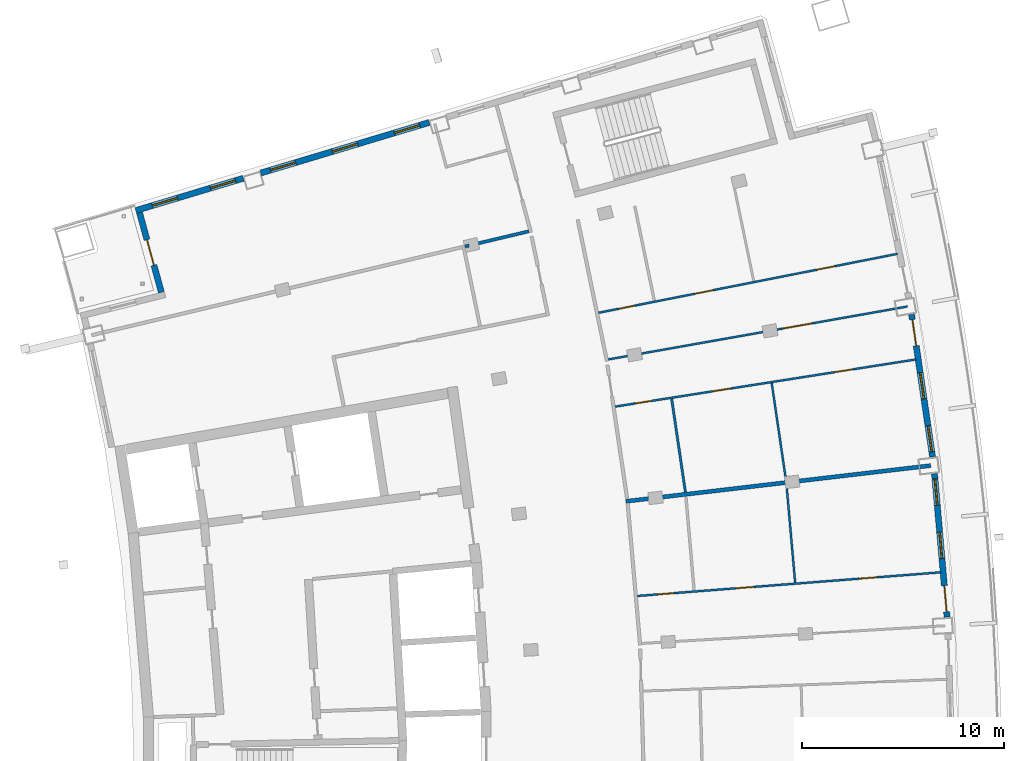
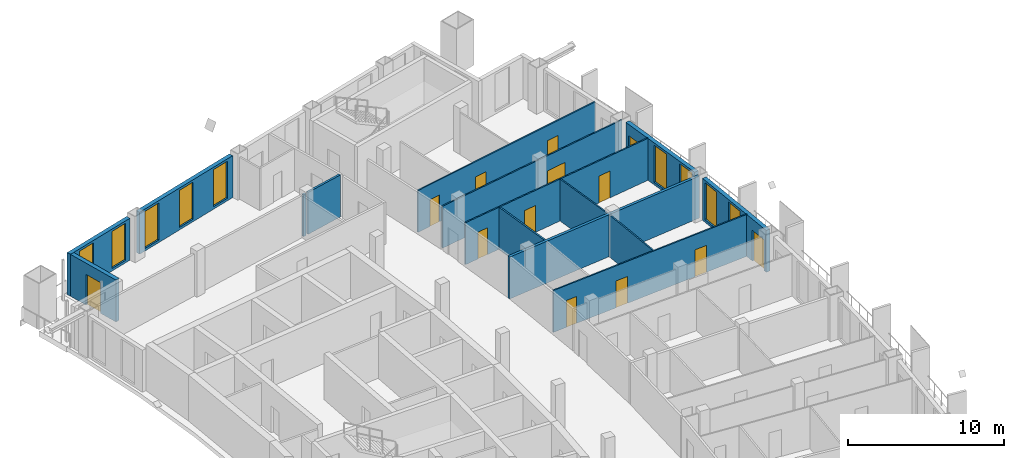
# One storey, part 12 of 17: 15 walls, 13 doors, 9 windows, 22 openings.
"""IFC4 building model written with IfcOpenShell, lengths in metres."""

from ifc_helpers import new_model, si_unit, direction, frame, frame_2d, origin, place, context, subcontext, project, spatial, rectangle, extrude, material, layer, layer_set, type_object, element, fill, save


model = new_model("IFC4")

# Units and contexts
model_context = context("Model", 3, precision=1e-05, world=origin(), true_north=direction((0.0, 1.0)))
body_context = subcontext(model_context, "Body", "Model", "MODEL_VIEW")
ifc_project = project(units=[si_unit("LENGTHUNIT", "METRE"), si_unit("AREAUNIT", "SQUARE_METRE"), si_unit("VOLUMEUNIT", "CUBIC_METRE"), si_unit("PLANEANGLEUNIT", "RADIAN"), si_unit("MASSUNIT", "GRAM", prefix="KILO")], contexts=[model_context])

# Site, building, storey
site_placement = place(None, origin())
site = spatial("IfcSite", under=ifc_project, at=site_placement, CompositionType="ELEMENT")
building_placement = place(site_placement, origin())
building = spatial("IfcBuilding", under=site, at=building_placement, Name="Alderwake Tower", CompositionType="ELEMENT")
storey_placement = place(building_placement, frame((0.0, 0.0, 274.39990234375)))
storey = spatial("IfcBuildingStorey", under=building, at=storey_placement, Name="L68", CompositionType="ELEMENT", Elevation=274.39990234375)

# Walls
ifc_material_1 = material(Name="Gypsum board on metal studs, rated")
ifc_layer_1 = layer(ifc_material_1, 0.159912109375)
ifc_layer_set_1 = layer_set([ifc_layer_1], Name="Corridor wall 160")
wall_type_1 = type_object("IfcWallType", Name="Corridor wall 160", PredefinedType="PARTITIONING", material=ifc_layer_set_1)
wall_1_placement = place(storey_placement, frame((32.5439453125, 87.7470703125, 0.0), z_axis=(0.0, 0.0, 1.0), x_axis=(-0.974391195695, -0.224859506699, 0.0)))
element("IfcWall", 1, at=wall_1_placement, inside=storey, type_object=wall_type_1, Name="WL/L68/W11", PredefinedType="PARTITIONING", context=body_context, shape_type="SweptSolid", body=[
    extrude(rectangle(XDim=0.205322265625, YDim=0.159912109375, at=frame_2d((0.1025390625, 0.0))), origin(), (0.0, 0.0, 1.0), 3.280029296875),
])
wall_2_placement = place(storey_placement, frame((35.502197265625, 88.451416015625, 0.0), z_axis=(0.0, 0.0, 1.0), x_axis=(-0.972846580049, -0.231450927168, 0.0)))
element("IfcWall", 2, at=wall_2_placement, inside=storey, type_object=wall_type_1, Name="WL/L68/W14", PredefinedType="PARTITIONING", context=body_context, shape_type="SweptSolid", body=[
    extrude(rectangle(XDim=2.854248046875, YDim=0.159912109375, at=frame_2d((1.42724609375, 0.0))), origin(), (0.0, 0.0, 1.0), 3.280029296875),
])

# Wall, openings, door, windows
ifc_material_2 = material(Name="Precast concrete C50/60 spandrel panel", Category="concrete")
ifc_layer_2 = layer(ifc_material_2, 0.300048828125)
ifc_layer_set_2 = layer_set([ifc_layer_2], Name="External wall EW1 Precast concrete C50/60 spandrel")
wall_type_2 = type_object("IfcWallType", Name="External wall EW1 Precast concrete C50/60 spandrel", PredefinedType="SOLIDWALL", material=ifc_layer_set_2)
wall_3_placement = place(storey_placement, frame((56.180908203125, 69.375244140625, 0.0), z_axis=(0.0, 0.0, 1.0), x_axis=(-0.08736403326, 0.996176453091, 0.0)))
wall_3 = element("IfcWall", 3, at=wall_3_placement, inside=storey, type_object=wall_type_2, Name="External wall 17", PredefinedType="SOLIDWALL", context=body_context, shape_type="SweptSolid", body=[
    extrude(rectangle(XDim=7.11474609375, YDim=0.300048828125, at=frame_2d((3.557373046875, 0.0))), origin(), (0.0, 0.0, 1.0), 3.280029296875),
])
opening_1_placement = place(wall_3_placement, frame((0.259521484375, 0.0, 0.0)))
opening_1 = element("IfcOpeningElement", 4, at=opening_1_placement, cuts=wall_3, Name="Opening D07", PredefinedType="OPENING", context=body_context, shape_type="SweptSolid", body=[
    extrude(rectangle(XDim=1.300048828125, YDim=2.39990234375, at=frame_2d((0.64990234375, 1.199951171875))), frame((0.0, 0.159912109375, 0.0), z_axis=(0.0, -1.0, 0.0), x_axis=(1.0, 0.0, 0.0)), (0.0, 0.0, 1.0), 0.320068359375),
])
opening_2_placement = place(wall_3_placement, frame((2.907470703125, 0.0, 0.199951171875)))
opening_2 = element("IfcOpeningElement", 5, at=opening_2_placement, cuts=wall_3, Name="Opening W1", PredefinedType="OPENING", context=body_context, shape_type="SweptSolid", body=[
    extrude(rectangle(XDim=1.300048828125, YDim=2.89990234375, at=frame_2d((0.64990234375, 1.449951171875))), frame((0.0, 0.159912109375, 0.0), z_axis=(0.0, -1.0, 0.0), x_axis=(1.0, 0.0, 0.0)), (0.0, 0.0, 1.0), 0.320068359375),
])
opening_3_placement = place(wall_3_placement, frame((5.555419921875, 0.0, 0.199951171875)))
opening_3 = element("IfcOpeningElement", 6, at=opening_3_placement, cuts=wall_3, Name="Opening W1", PredefinedType="OPENING", context=body_context, shape_type="SweptSolid", body=[
    extrude(rectangle(XDim=1.300048828125, YDim=2.89990234375, at=frame_2d((0.64990234375, 1.449951171875))), frame((0.0, 0.159912109375, 0.0), z_axis=(0.0, -1.0, 0.0), x_axis=(1.0, 0.0, 0.0)), (0.0, 0.0, 1.0), 0.320068359375),
])
ifc_material_3 = material(Name="Bronze tinted glass in aluminium frame", Category="aluminium")
door_type_1 = type_object("IfcDoorType", Name="Balcony door BD sliding", OperationType="SLIDING_TO_LEFT", PredefinedType="DOOR", material=ifc_material_3)
door_1_placement = place(opening_1_placement, origin())
door_1 = element("IfcDoor", 7, at=door_1_placement, inside=storey, type_object=door_type_1, Name="Door D07", OperationType="SLIDING_TO_LEFT", OverallHeight=2.39990234375, OverallWidth=1.300048828125, PredefinedType="DOOR", context=body_context, shape_type="SweptSolid", body=[
    extrude(rectangle(XDim=1.300048828125, YDim=2.39990234375, at=frame_2d((0.64990234375, 1.199951171875))), frame((0.0, 0.02490234375, 0.0), z_axis=(0.0, -1.0, 0.0), x_axis=(1.0, 0.0, 0.0)), (0.0, 0.0, 1.0), 0.050048828125),
])
fill(opening_1, door_1)
ifc_material_4 = material(Name="Bronze tinted glass in aluminium frame", Category="aluminium")
window_type = type_object("IfcWindowType", Name="Window W1 tall fixed and vent", PartitioningType="DOUBLE_PANEL_VERTICAL", PredefinedType="WINDOW", material=ifc_material_4)
window_1_placement = place(opening_2_placement, origin())
window_1 = element("IfcWindow", 8, at=window_1_placement, inside=storey, type_object=window_type, Name="Window W1 tall fixed and vent", OverallHeight=2.89990234375, OverallWidth=1.300048828125, PartitioningType="DOUBLE_PANEL_VERTICAL", PredefinedType="WINDOW", context=body_context, shape_type="SweptSolid", body=[
    extrude(rectangle(XDim=1.300048828125, YDim=2.89990234375, at=frame_2d((0.64990234375, 1.449951171875))), frame((0.0, 0.030029296875, 0.0), z_axis=(0.0, -1.0, 0.0), x_axis=(1.0, 0.0, 0.0)), (0.0, 0.0, 1.0), 0.06005859375),
])
fill(opening_2, window_1)
window_2_placement = place(opening_3_placement, origin())
window_2 = element("IfcWindow", 9, at=window_2_placement, inside=storey, type_object=window_type, Name="Window W1 tall fixed and vent", OverallHeight=2.89990234375, OverallWidth=1.300048828125, PartitioningType="DOUBLE_PANEL_VERTICAL", PredefinedType="WINDOW", context=body_context, shape_type="SweptSolid", body=[
    extrude(rectangle(XDim=1.300048828125, YDim=2.89990234375, at=frame_2d((0.64990234375, 1.449951171875))), frame((0.0, 0.030029296875, 0.0), z_axis=(0.0, -1.0, 0.0), x_axis=(1.0, 0.0, 0.0)), (0.0, 0.0, 1.0), 0.06005859375),
])
fill(opening_3, window_2)

wall_4_placement = place(storey_placement, frame((55.461181640625, 77.30029296875, 0.0), z_axis=(0.0, 0.0, 1.0), x_axis=(-0.145316175734, 0.98938526827, 0.0)))
wall_4 = element("IfcWall", 10, at=wall_4_placement, inside=storey, type_object=wall_type_2, Name="External wall 18", PredefinedType="SOLIDWALL", context=body_context, shape_type="SweptSolid", body=[
    extrude(rectangle(XDim=7.114990234375, YDim=0.300048828125, at=frame_2d((3.5576171875, 0.0))), origin(), (0.0, 0.0, 1.0), 3.280029296875),
])
opening_4_placement = place(wall_4_placement, frame((0.259521484375, 0.0, 0.199951171875)))
opening_4 = element("IfcOpeningElement", 11, at=opening_4_placement, cuts=wall_4, Name="Opening W1", PredefinedType="OPENING", context=body_context, shape_type="SweptSolid", body=[
    extrude(rectangle(XDim=1.300048828125, YDim=2.89990234375, at=frame_2d((0.64990234375, 1.449951171875))), frame((0.0, 0.159912109375, 0.0), z_axis=(0.0, -1.0, 0.0), x_axis=(1.0, 0.0, 0.0)), (0.0, 0.0, 1.0), 0.320068359375),
])
opening_5_placement = place(wall_4_placement, frame((2.907470703125, 0.0, 0.199951171875)))
opening_5 = element("IfcOpeningElement", 12, at=opening_5_placement, cuts=wall_4, Name="Opening W1", PredefinedType="OPENING", context=body_context, shape_type="SweptSolid", body=[
    extrude(rectangle(XDim=1.300048828125, YDim=2.89990234375, at=frame_2d((0.64990234375, 1.449951171875))), frame((0.0, 0.159912109375, 0.0), z_axis=(0.0, -1.0, 0.0), x_axis=(1.0, 0.0, 0.0)), (0.0, 0.0, 1.0), 0.320068359375),
])
opening_6_placement = place(wall_4_placement, frame((5.555419921875, 0.0, 0.0)))
opening_6 = element("IfcOpeningElement", 13, at=opening_6_placement, cuts=wall_4, Name="Opening D08", PredefinedType="OPENING", context=body_context, shape_type="SweptSolid", body=[
    extrude(rectangle(XDim=1.300048828125, YDim=2.39990234375, at=frame_2d((0.64990234375, 1.199951171875))), frame((0.0, 0.159912109375, 0.0), z_axis=(0.0, -1.0, 0.0), x_axis=(1.0, 0.0, 0.0)), (0.0, 0.0, 1.0), 0.320068359375),
])
door_2_placement = place(opening_6_placement, origin())
door_2 = element("IfcDoor", 14, at=door_2_placement, inside=storey, type_object=door_type_1, Name="Door D08", OperationType="SLIDING_TO_LEFT", OverallHeight=2.39990234375, OverallWidth=1.300048828125, PredefinedType="DOOR", context=body_context, shape_type="SweptSolid", body=[
    extrude(rectangle(XDim=1.300048828125, YDim=2.39990234375, at=frame_2d((0.64990234375, 1.199951171875))), frame((0.0, 0.02490234375, 0.0), z_axis=(0.0, -1.0, 0.0), x_axis=(1.0, 0.0, 0.0)), (0.0, 0.0, 1.0), 0.050048828125),
])
fill(opening_6, door_2)
window_3_placement = place(opening_4_placement, origin())
window_3 = element("IfcWindow", 15, at=window_3_placement, inside=storey, type_object=window_type, Name="Window W1 tall fixed and vent", OverallHeight=2.89990234375, OverallWidth=1.300048828125, PartitioningType="DOUBLE_PANEL_VERTICAL", PredefinedType="WINDOW", context=body_context, shape_type="SweptSolid", body=[
    extrude(rectangle(XDim=1.300048828125, YDim=2.89990234375, at=frame_2d((0.64990234375, 1.449951171875))), frame((0.0, 0.030029296875, 0.0), z_axis=(0.0, -1.0, 0.0), x_axis=(1.0, 0.0, 0.0)), (0.0, 0.0, 1.0), 0.06005859375),
])
fill(opening_4, window_3)
window_4_placement = place(opening_5_placement, origin())
window_4 = element("IfcWindow", 16, at=window_4_placement, inside=storey, type_object=window_type, Name="Window W1 tall fixed and vent", OverallHeight=2.89990234375, OverallWidth=1.300048828125, PartitioningType="DOUBLE_PANEL_VERTICAL", PredefinedType="WINDOW", context=body_context, shape_type="SweptSolid", body=[
    extrude(rectangle(XDim=1.300048828125, YDim=2.89990234375, at=frame_2d((0.64990234375, 1.449951171875))), frame((0.0, 0.030029296875, 0.0), z_axis=(0.0, -1.0, 0.0), x_axis=(1.0, 0.0, 0.0)), (0.0, 0.0, 1.0), 0.06005859375),
])
fill(opening_5, window_4)

# Wall, openings, windows
ifc_material_5 = material(Name="Bronze metal cladding on lightweight framing")
ifc_layer_3 = layer(ifc_material_5, 0.300048828125)
ifc_layer_set_3 = layer_set([ifc_layer_3], Name="External wall EW2 bronze metal cladding")
wall_type_3 = type_object("IfcWallType", Name="External wall EW2 bronze metal cladding", PredefinedType="SOLIDWALL", material=ifc_layer_set_3)
wall_5_placement = place(storey_placement, frame((30.57568359375, 93.83251953125, 0.0), z_axis=(0.0, 0.0, 1.0), x_axis=(-0.957762902908, -0.287559075345, 0.0)))
wall_5 = element("IfcWall", 17, at=wall_5_placement, inside=storey, type_object=wall_type_3, Name="External wall 26", PredefinedType="SOLIDWALL", context=body_context, shape_type="SweptSolid", body=[
    extrude(rectangle(XDim=8.696533203125, YDim=0.300048828125, at=frame_2d((4.34814453125, 0.0))), origin(), (0.0, 0.0, 1.0), 3.280029296875),
])
opening_7_placement = place(wall_5_placement, frame((0.498291015625, 0.0, 0.199951171875)))
opening_7 = element("IfcOpeningElement", 18, at=opening_7_placement, cuts=wall_5, Name="Opening W1", PredefinedType="OPENING", context=body_context, shape_type="SweptSolid", body=[
    extrude(rectangle(XDim=1.300048828125, YDim=2.89990234375, at=frame_2d((0.64990234375, 1.449951171875))), frame((0.0, 0.159912109375, 0.0), z_axis=(0.0, -1.0, 0.0), x_axis=(1.0, 0.0, 0.0)), (0.0, 0.0, 1.0), 0.320068359375),
])
opening_8_placement = place(wall_5_placement, frame((3.6982421875, 0.0, 0.199951171875)))
opening_8 = element("IfcOpeningElement", 19, at=opening_8_placement, cuts=wall_5, Name="Opening W1", PredefinedType="OPENING", context=body_context, shape_type="SweptSolid", body=[
    extrude(rectangle(XDim=1.300048828125, YDim=2.89990234375, at=frame_2d((0.64990234375, 1.449951171875))), frame((0.0, 0.159912109375, 0.0), z_axis=(0.0, -1.0, 0.0), x_axis=(1.0, 0.0, 0.0)), (0.0, 0.0, 1.0), 0.320068359375),
])
opening_9_placement = place(wall_5_placement, frame((6.898193359375, 0.0, 0.199951171875)))
opening_9 = element("IfcOpeningElement", 20, at=opening_9_placement, cuts=wall_5, Name="Opening W1", PredefinedType="OPENING", context=body_context, shape_type="SweptSolid", body=[
    extrude(rectangle(XDim=1.300048828125, YDim=2.89990234375, at=frame_2d((0.64990234375, 1.449951171875))), frame((0.0, 0.159912109375, 0.0), z_axis=(0.0, -1.0, 0.0), x_axis=(1.0, 0.0, 0.0)), (0.0, 0.0, 1.0), 0.320068359375),
])
window_5_placement = place(opening_7_placement, origin())
window_5 = element("IfcWindow", 21, at=window_5_placement, inside=storey, type_object=window_type, Name="Window W1 tall fixed and vent", OverallHeight=2.89990234375, OverallWidth=1.300048828125, PartitioningType="DOUBLE_PANEL_VERTICAL", PredefinedType="WINDOW", context=body_context, shape_type="SweptSolid", body=[
    extrude(rectangle(XDim=1.300048828125, YDim=2.89990234375, at=frame_2d((0.64990234375, 1.449951171875))), frame((0.0, 0.030029296875, 0.0), z_axis=(0.0, -1.0, 0.0), x_axis=(1.0, 0.0, 0.0)), (0.0, 0.0, 1.0), 0.06005859375),
])
fill(opening_7, window_5)
window_6_placement = place(opening_8_placement, origin())
window_6 = element("IfcWindow", 22, at=window_6_placement, inside=storey, type_object=window_type, Name="Window W1 tall fixed and vent", OverallHeight=2.89990234375, OverallWidth=1.300048828125, PartitioningType="DOUBLE_PANEL_VERTICAL", PredefinedType="WINDOW", context=body_context, shape_type="SweptSolid", body=[
    extrude(rectangle(XDim=1.300048828125, YDim=2.89990234375, at=frame_2d((0.64990234375, 1.449951171875))), frame((0.0, 0.030029296875, 0.0), z_axis=(0.0, -1.0, 0.0), x_axis=(1.0, 0.0, 0.0)), (0.0, 0.0, 1.0), 0.06005859375),
])
fill(opening_8, window_6)
window_7_placement = place(opening_9_placement, origin())
window_7 = element("IfcWindow", 23, at=window_7_placement, inside=storey, type_object=window_type, Name="Window W1 tall fixed and vent", OverallHeight=2.89990234375, OverallWidth=1.300048828125, PartitioningType="DOUBLE_PANEL_VERTICAL", PredefinedType="WINDOW", context=body_context, shape_type="SweptSolid", body=[
    extrude(rectangle(XDim=1.300048828125, YDim=2.89990234375, at=frame_2d((0.64990234375, 1.449951171875))), frame((0.0, 0.030029296875, 0.0), z_axis=(0.0, -1.0, 0.0), x_axis=(1.0, 0.0, 0.0)), (0.0, 0.0, 1.0), 0.06005859375),
])
fill(opening_9, window_7)

wall_6_placement = place(storey_placement, frame((21.380859375, 91.072021484375, 0.0), z_axis=(0.0, 0.0, 1.0), x_axis=(-0.957769358194, -0.287537574074, 0.0)))
wall_6 = element("IfcWall", 24, at=wall_6_placement, inside=storey, type_object=wall_type_3, Name="External wall 27", PredefinedType="SOLIDWALL", context=body_context, shape_type="SweptSolid", body=[
    extrude(rectangle(XDim=5.549560546875, YDim=0.300048828125, at=frame_2d((2.77490234375, 0.0))), origin(), (0.0, 0.0, 1.0), 3.280029296875),
])
opening_10_placement = place(wall_6_placement, frame((0.3984375, 0.0, 0.199951171875)))
opening_10 = element("IfcOpeningElement", 25, at=opening_10_placement, cuts=wall_6, Name="Opening W1", PredefinedType="OPENING", context=body_context, shape_type="SweptSolid", body=[
    extrude(rectangle(XDim=1.300048828125, YDim=2.89990234375, at=frame_2d((0.64990234375, 1.449951171875))), frame((0.0, 0.159912109375, 0.0), z_axis=(0.0, -1.0, 0.0), x_axis=(1.0, 0.0, 0.0)), (0.0, 0.0, 1.0), 0.320068359375),
])
opening_11_placement = place(wall_6_placement, frame((3.399169921875, 0.0, 0.199951171875)))
opening_11 = element("IfcOpeningElement", 26, at=opening_11_placement, cuts=wall_6, Name="Opening W1", PredefinedType="OPENING", context=body_context, shape_type="SweptSolid", body=[
    extrude(rectangle(XDim=1.300048828125, YDim=2.89990234375, at=frame_2d((0.64990234375, 1.449951171875))), frame((0.0, 0.159912109375, 0.0), z_axis=(0.0, -1.0, 0.0), x_axis=(1.0, 0.0, 0.0)), (0.0, 0.0, 1.0), 0.320068359375),
])
window_8_placement = place(opening_10_placement, origin())
window_8 = element("IfcWindow", 27, at=window_8_placement, inside=storey, type_object=window_type, Name="Window W1 tall fixed and vent", OverallHeight=2.89990234375, OverallWidth=1.300048828125, PartitioningType="DOUBLE_PANEL_VERTICAL", PredefinedType="WINDOW", context=body_context, shape_type="SweptSolid", body=[
    extrude(rectangle(XDim=1.300048828125, YDim=2.89990234375, at=frame_2d((0.64990234375, 1.449951171875))), frame((0.0, 0.030029296875, 0.0), z_axis=(0.0, -1.0, 0.0), x_axis=(1.0, 0.0, 0.0)), (0.0, 0.0, 1.0), 0.06005859375),
])
fill(opening_10, window_8)
window_9_placement = place(opening_11_placement, origin())
window_9 = element("IfcWindow", 28, at=window_9_placement, inside=storey, type_object=window_type, Name="Window W1 tall fixed and vent", OverallHeight=2.89990234375, OverallWidth=1.300048828125, PartitioningType="DOUBLE_PANEL_VERTICAL", PredefinedType="WINDOW", context=body_context, shape_type="SweptSolid", body=[
    extrude(rectangle(XDim=1.300048828125, YDim=2.89990234375, at=frame_2d((0.64990234375, 1.449951171875))), frame((0.0, 0.030029296875, 0.0), z_axis=(0.0, -1.0, 0.0), x_axis=(1.0, 0.0, 0.0)), (0.0, 0.0, 1.0), 0.06005859375),
])
fill(opening_11, window_9)

# Wall, opening, door
wall_7_placement = place(storey_placement, frame((16.248779296875, 89.374755859375, 0.0), z_axis=(0.0, 0.0, 1.0), x_axis=(0.264607053468, -0.964356317579, 0.0)))
wall_7 = element("IfcWall", 29, at=wall_7_placement, inside=storey, type_object=wall_type_3, Name="External wall 28", PredefinedType="SOLIDWALL", context=body_context, shape_type="SweptSolid", body=[
    extrude(rectangle(XDim=4.090087890625, YDim=0.300048828125, at=frame_2d((2.044921875, 0.0))), origin(), (0.0, 0.0, 1.0), 3.280029296875),
])
opening_12_placement = place(wall_7_placement, frame((1.39501953125, 0.0, 0.0)))
opening_12 = element("IfcOpeningElement", 30, at=opening_12_placement, cuts=wall_7, Name="Opening D10", PredefinedType="OPENING", context=body_context, shape_type="SweptSolid", body=[
    extrude(rectangle(XDim=1.300048828125, YDim=2.39990234375, at=frame_2d((0.64990234375, 1.199951171875))), frame((0.0, 0.159912109375, 0.0), z_axis=(0.0, -1.0, 0.0), x_axis=(1.0, 0.0, 0.0)), (0.0, 0.0, 1.0), 0.320068359375),
])
door_3_placement = place(opening_12_placement, origin())
door_3 = element("IfcDoor", 31, at=door_3_placement, inside=storey, type_object=door_type_1, Name="Door D10", OperationType="SLIDING_TO_LEFT", OverallHeight=2.39990234375, OverallWidth=1.300048828125, PredefinedType="DOOR", context=body_context, shape_type="SweptSolid", body=[
    extrude(rectangle(XDim=1.300048828125, YDim=2.39990234375, at=frame_2d((0.64990234375, 1.199951171875))), frame((0.0, 0.02490234375, 0.0), z_axis=(0.0, -1.0, 0.0), x_axis=(1.0, 0.0, 0.0)), (0.0, 0.0, 1.0), 0.050048828125),
])
fill(opening_12, door_3)

# Wall
ifc_material_6 = material(Name="Dense block masonry wall", Category="masonry")
ifc_layer_4 = layer(ifc_material_6, 0.199951171875)
ifc_layer_set_4 = layer_set([ifc_layer_4], Name="Party wall 200")
wall_type_4 = type_object("IfcWallType", Name="Party wall 200", PredefinedType="SOLIDWALL", material=ifc_layer_set_4)
wall_8_placement = place(storey_placement, frame((55.3740234375, 76.865966796875, 0.0), z_axis=(0.0, 0.0, 1.0), x_axis=(-0.993199152778, -0.116427844266, 0.0)))
element("IfcWall", 32, at=wall_8_placement, inside=storey, type_object=wall_type_4, Name="WL/L68/W02", PredefinedType="SOLIDWALL", context=body_context, shape_type="SweptSolid", body=[
    extrude(rectangle(XDim=15.1796875, YDim=0.199951171875, at=frame_2d((7.58984375, 0.0))), origin(), (0.0, 0.0, 1.0), 3.280029296875),
])

# Wall, openings, doors
ifc_material_7 = material(Name="Gypsum board on metal studs")
ifc_layer_5 = layer(ifc_material_7, 0.10009765625)
ifc_layer_set_5 = layer_set([ifc_layer_5], Name="Unit partition 100")
wall_type_5 = type_object("IfcWallType", Name="Unit partition 100", PredefinedType="PARTITIONING", material=ifc_layer_set_5)
wall_9_placement = place(storey_placement, frame((38.949462890625, 84.423583984375, 0.0), z_axis=(0.0, 0.0, 1.0), x_axis=(0.981127917423, 0.193359793272, 0.0)))
wall_9 = element("IfcWall", 33, at=wall_9_placement, inside=storey, type_object=wall_type_5, Name="WL/L68/W39", PredefinedType="PARTITIONING", context=body_context, shape_type="SweptSolid", body=[
    extrude(rectangle(XDim=15.061767578125, YDim=0.10009765625, at=frame_2d((7.53076171875, 0.0))), origin(), (0.0, 0.0, 1.0), 3.280029296875),
])
opening_13_placement = place(wall_9_placement, frame((4.873291015625, 0.0, 0.0)))
opening_13 = element("IfcOpeningElement", 34, at=opening_13_placement, cuts=wall_9, Name="Opening R19-U06.5", PredefinedType="OPENING", context=body_context, shape_type="SweptSolid", body=[
    extrude(rectangle(XDim=0.89990234375, YDim=2.10009765625, at=frame_2d((0.449951171875, 1.050048828125))), frame((0.0, 0.06005859375, 0.0), z_axis=(0.0, -1.0, 0.0), x_axis=(1.0, 0.0, 0.0)), (0.0, 0.0, 1.0), 0.1201171875),
])
opening_14_placement = place(wall_9_placement, frame((1.009521484375, 0.0, 0.0)))
opening_14 = element("IfcOpeningElement", 35, at=opening_14_placement, cuts=wall_9, Name="Opening R19-U06.6", PredefinedType="OPENING", context=body_context, shape_type="SweptSolid", body=[
    extrude(rectangle(XDim=0.800048828125, YDim=2.10009765625, at=frame_2d((0.39990234375, 1.050048828125))), frame((0.0, 0.06005859375, 0.0), z_axis=(0.0, -1.0, 0.0), x_axis=(1.0, 0.0, 0.0)), (0.0, 0.0, 1.0), 0.1201171875),
])
opening_15_placement = place(wall_9_placement, frame((10.99462890625, 0.0, 0.0)))
opening_15 = element("IfcOpeningElement", 36, at=opening_15_placement, cuts=wall_9, Name="Opening R19-U06.7", PredefinedType="OPENING", context=body_context, shape_type="SweptSolid", body=[
    extrude(rectangle(XDim=0.89990234375, YDim=2.10009765625, at=frame_2d((0.449951171875, 1.050048828125))), frame((0.0, 0.06005859375, 0.0), z_axis=(0.0, -1.0, 0.0), x_axis=(1.0, 0.0, 0.0)), (0.0, 0.0, 1.0), 0.1201171875),
])
ifc_material_8 = material(Name="Painted timber leaf", Category="wood")
door_type_2 = type_object("IfcDoorType", Name="Bathroom door 800", OperationType="SINGLE_SWING_LEFT", PredefinedType="DOOR", material=ifc_material_8)
door_4_placement = place(opening_14_placement, origin())
door_4 = element("IfcDoor", 37, at=door_4_placement, inside=storey, type_object=door_type_2, Name="DR/L68/U06.6", OperationType="SINGLE_SWING_LEFT", OverallHeight=2.10009765625, OverallWidth=0.800048828125, PredefinedType="DOOR", context=body_context, shape_type="SweptSolid", body=[
    extrude(rectangle(XDim=0.800048828125, YDim=2.10009765625, at=frame_2d((0.39990234375, 1.050048828125))), frame((0.0, 0.02490234375, 0.0), z_axis=(0.0, -1.0, 0.0), x_axis=(1.0, 0.0, 0.0)), (0.0, 0.0, 1.0), 0.050048828125),
])
fill(opening_14, door_4)
ifc_material_9 = material(Name="Painted timber leaf", Category="wood")
door_type_3 = type_object("IfcDoorType", Name="Room door 900", OperationType="SINGLE_SWING_LEFT", PredefinedType="DOOR", material=ifc_material_9)
door_5_placement = place(opening_13_placement, origin())
door_5 = element("IfcDoor", 38, at=door_5_placement, inside=storey, type_object=door_type_3, Name="DR/L68/U06.5", OperationType="SINGLE_SWING_LEFT", OverallHeight=2.10009765625, OverallWidth=0.89990234375, PredefinedType="DOOR", context=body_context, shape_type="SweptSolid", body=[
    extrude(rectangle(XDim=0.89990234375, YDim=2.10009765625, at=frame_2d((0.449951171875, 1.050048828125))), frame((0.0, 0.02490234375, 0.0), z_axis=(0.0, -1.0, 0.0), x_axis=(1.0, 0.0, 0.0)), (0.0, 0.0, 1.0), 0.050048828125),
])
fill(opening_13, door_5)
door_6_placement = place(opening_15_placement, origin())
door_6 = element("IfcDoor", 39, at=door_6_placement, inside=storey, type_object=door_type_3, Name="DR/L68/U06.7", OperationType="SINGLE_SWING_LEFT", OverallHeight=2.10009765625, OverallWidth=0.89990234375, PredefinedType="DOOR", context=body_context, shape_type="SweptSolid", body=[
    extrude(rectangle(XDim=0.89990234375, YDim=2.10009765625, at=frame_2d((0.449951171875, 1.050048828125))), frame((0.0, 0.02490234375, 0.0), z_axis=(0.0, -1.0, 0.0), x_axis=(1.0, 0.0, 0.0)), (0.0, 0.0, 1.0), 0.050048828125),
])
fill(opening_15, door_6)

wall_10_placement = place(storey_placement, frame((54.65087890625, 82.115966796875, 0.0), z_axis=(0.0, 0.0, 1.0), x_axis=(-0.987928768537, -0.154908838665, 0.0)))
wall_10 = element("IfcWall", 40, at=wall_10_placement, inside=storey, type_object=wall_type_5, Name="WL/L68/W41", PredefinedType="PARTITIONING", context=body_context, shape_type="SweptSolid", body=[
    extrude(rectangle(XDim=15.063720703125, YDim=0.10009765625, at=frame_2d((7.53173828125, 0.0))), origin(), (0.0, 0.0, 1.0), 3.280029296875),
])
opening_16_placement = place(wall_10_placement, frame((9.28955078125, 0.0, 0.0)))
opening_16 = element("IfcOpeningElement", 41, at=opening_16_placement, cuts=wall_10, Name="Opening R19-U06.1", PredefinedType="OPENING", context=body_context, shape_type="SweptSolid", body=[
    extrude(rectangle(XDim=0.89990234375, YDim=2.10009765625, at=frame_2d((0.449951171875, 1.050048828125))), frame((0.0, 0.06005859375, 0.0), z_axis=(0.0, -1.0, 0.0), x_axis=(1.0, 0.0, 0.0)), (0.0, 0.0, 1.0), 0.1201171875),
])
opening_17_placement = place(wall_10_placement, frame((13.253662109375, 0.0, 0.0)))
opening_17 = element("IfcOpeningElement", 42, at=opening_17_placement, cuts=wall_10, Name="Opening R19-U06.3", PredefinedType="OPENING", context=body_context, shape_type="SweptSolid", body=[
    extrude(rectangle(XDim=0.800048828125, YDim=2.10009765625, at=frame_2d((0.39990234375, 1.050048828125))), frame((0.0, 0.06005859375, 0.0), z_axis=(0.0, -1.0, 0.0), x_axis=(1.0, 0.0, 0.0)), (0.0, 0.0, 1.0), 0.1201171875),
])
opening_18_placement = place(wall_10_placement, frame((3.167724609375, 0.0, 0.0)))
opening_18 = element("IfcOpeningElement", 43, at=opening_18_placement, cuts=wall_10, Name="Opening R19-U06.4", PredefinedType="OPENING", context=body_context, shape_type="SweptSolid", body=[
    extrude(rectangle(XDim=0.89990234375, YDim=2.10009765625, at=frame_2d((0.449951171875, 1.050048828125))), frame((0.0, 0.06005859375, 0.0), z_axis=(0.0, -1.0, 0.0), x_axis=(1.0, 0.0, 0.0)), (0.0, 0.0, 1.0), 0.1201171875),
])
door_7_placement = place(opening_17_placement, origin())
door_7 = element("IfcDoor", 44, at=door_7_placement, inside=storey, type_object=door_type_2, Name="DR/L68/U06.3", OperationType="SINGLE_SWING_LEFT", OverallHeight=2.10009765625, OverallWidth=0.800048828125, PredefinedType="DOOR", context=body_context, shape_type="SweptSolid", body=[
    extrude(rectangle(XDim=0.800048828125, YDim=2.10009765625, at=frame_2d((0.39990234375, 1.050048828125))), frame((0.0, 0.02490234375, 0.0), z_axis=(0.0, -1.0, 0.0), x_axis=(1.0, 0.0, 0.0)), (0.0, 0.0, 1.0), 0.050048828125),
])
fill(opening_17, door_7)
door_8_placement = place(opening_16_placement, origin())
door_8 = element("IfcDoor", 45, at=door_8_placement, inside=storey, type_object=door_type_3, Name="DR/L68/U06.1", OperationType="SINGLE_SWING_LEFT", OverallHeight=2.10009765625, OverallWidth=0.89990234375, PredefinedType="DOOR", context=body_context, shape_type="SweptSolid", body=[
    extrude(rectangle(XDim=0.89990234375, YDim=2.10009765625, at=frame_2d((0.449951171875, 1.050048828125))), frame((0.0, 0.02490234375, 0.0), z_axis=(0.0, -1.0, 0.0), x_axis=(1.0, 0.0, 0.0)), (0.0, 0.0, 1.0), 0.050048828125),
])
fill(opening_16, door_8)
door_9_placement = place(opening_18_placement, origin())
door_9 = element("IfcDoor", 46, at=door_9_placement, inside=storey, type_object=door_type_3, Name="DR/L68/U06.4", OperationType="SINGLE_SWING_LEFT", OverallHeight=2.10009765625, OverallWidth=0.89990234375, PredefinedType="DOOR", context=body_context, shape_type="SweptSolid", body=[
    extrude(rectangle(XDim=0.89990234375, YDim=2.10009765625, at=frame_2d((0.449951171875, 1.050048828125))), frame((0.0, 0.02490234375, 0.0), z_axis=(0.0, -1.0, 0.0), x_axis=(1.0, 0.0, 0.0)), (0.0, 0.0, 1.0), 0.050048828125),
])
fill(opening_18, door_9)

wall_11_placement = place(storey_placement, frame((40.867919921875, 70.419189453125, 0.0), z_axis=(0.0, 0.0, 1.0), x_axis=(0.996978678342, 0.077675703616, 0.0)))
wall_11 = element("IfcWall", 47, at=wall_11_placement, inside=storey, type_object=wall_type_5, Name="WL/L68/W43", PredefinedType="PARTITIONING", context=body_context, shape_type="SweptSolid", body=[
    extrude(rectangle(XDim=15.0615234375, YDim=0.10009765625, at=frame_2d((7.53076171875, 0.0))), origin(), (0.0, 0.0, 1.0), 3.280029296875),
])
opening_19_placement = place(wall_11_placement, frame((4.872802734375, 0.0, 0.0)))
opening_19 = element("IfcOpeningElement", 48, at=opening_19_placement, cuts=wall_11, Name="Opening R19-U05.5", PredefinedType="OPENING", context=body_context, shape_type="SweptSolid", body=[
    extrude(rectangle(XDim=0.89990234375, YDim=2.10009765625, at=frame_2d((0.449951171875, 1.050048828125))), frame((0.0, 0.06005859375, 0.0), z_axis=(0.0, -1.0, 0.0), x_axis=(1.0, 0.0, 0.0)), (0.0, 0.0, 1.0), 0.1201171875),
])
opening_20_placement = place(wall_11_placement, frame((1.009521484375, 0.0, 0.0)))
opening_20 = element("IfcOpeningElement", 49, at=opening_20_placement, cuts=wall_11, Name="Opening R19-U05.6", PredefinedType="OPENING", context=body_context, shape_type="SweptSolid", body=[
    extrude(rectangle(XDim=0.800048828125, YDim=2.10009765625, at=frame_2d((0.39990234375, 1.050048828125))), frame((0.0, 0.06005859375, 0.0), z_axis=(0.0, -1.0, 0.0), x_axis=(1.0, 0.0, 0.0)), (0.0, 0.0, 1.0), 0.1201171875),
])
opening_21_placement = place(wall_11_placement, frame((10.994384765625, 0.0, 0.0)))
opening_21 = element("IfcOpeningElement", 50, at=opening_21_placement, cuts=wall_11, Name="Opening R19-U05.7", PredefinedType="OPENING", context=body_context, shape_type="SweptSolid", body=[
    extrude(rectangle(XDim=0.89990234375, YDim=2.10009765625, at=frame_2d((0.449951171875, 1.050048828125))), frame((0.0, 0.06005859375, 0.0), z_axis=(0.0, -1.0, 0.0), x_axis=(1.0, 0.0, 0.0)), (0.0, 0.0, 1.0), 0.1201171875),
])
door_10_placement = place(opening_20_placement, origin())
door_10 = element("IfcDoor", 51, at=door_10_placement, inside=storey, type_object=door_type_2, Name="DR/L68/U05.6", OperationType="SINGLE_SWING_LEFT", OverallHeight=2.10009765625, OverallWidth=0.800048828125, PredefinedType="DOOR", context=body_context, shape_type="SweptSolid", body=[
    extrude(rectangle(XDim=0.800048828125, YDim=2.10009765625, at=frame_2d((0.39990234375, 1.050048828125))), frame((0.0, 0.02490234375, 0.0), z_axis=(0.0, -1.0, 0.0), x_axis=(1.0, 0.0, 0.0)), (0.0, 0.0, 1.0), 0.050048828125),
])
fill(opening_20, door_10)
door_11_placement = place(opening_19_placement, origin())
door_11 = element("IfcDoor", 52, at=door_11_placement, inside=storey, type_object=door_type_3, Name="DR/L68/U05.5", OperationType="SINGLE_SWING_LEFT", OverallHeight=2.10009765625, OverallWidth=0.89990234375, PredefinedType="DOOR", context=body_context, shape_type="SweptSolid", body=[
    extrude(rectangle(XDim=0.89990234375, YDim=2.10009765625, at=frame_2d((0.449951171875, 1.050048828125))), frame((0.0, 0.02490234375, 0.0), z_axis=(0.0, -1.0, 0.0), x_axis=(1.0, 0.0, 0.0)), (0.0, 0.0, 1.0), 0.050048828125),
])
fill(opening_19, door_11)
door_12_placement = place(opening_21_placement, origin())
door_12 = element("IfcDoor", 53, at=door_12_placement, inside=storey, type_object=door_type_3, Name="DR/L68/U05.7", OperationType="SINGLE_SWING_LEFT", OverallHeight=2.10009765625, OverallWidth=0.89990234375, PredefinedType="DOOR", context=body_context, shape_type="SweptSolid", body=[
    extrude(rectangle(XDim=0.89990234375, YDim=2.10009765625, at=frame_2d((0.449951171875, 1.050048828125))), frame((0.0, 0.02490234375, 0.0), z_axis=(0.0, -1.0, 0.0), x_axis=(1.0, 0.0, 0.0)), (0.0, 0.0, 1.0), 0.050048828125),
])
fill(opening_21, door_12)

# Walls
wall_12_placement = place(storey_placement, frame((48.216552734375, 76.1279296875, 0.0), z_axis=(0.0, 0.0, 1.0), x_axis=(-0.14519530572, 0.989403013537, 0.0)))
element("IfcWall", 54, at=wall_12_placement, inside=storey, type_object=wall_type_5, Name="WL/L68/W50", PredefinedType="PARTITIONING", context=body_context, shape_type="SweptSolid", body=[
    extrude(rectangle(XDim=4.87109375, YDim=0.10009765625, at=frame_2d((2.435546875, 0.0))), origin(), (0.0, 0.0, 1.0), 3.280029296875),
])
wall_13_placement = place(storey_placement, frame((48.66748046875, 71.077880859375, 0.0), z_axis=(0.0, 0.0, 1.0), x_axis=(-0.087827973978, 0.99613565692, 0.0)))
element("IfcWall", 55, at=wall_13_placement, inside=storey, type_object=wall_type_5, Name="WL/L68/W51", PredefinedType="PARTITIONING", context=body_context, shape_type="SweptSolid", body=[
    extrude(rectangle(XDim=4.8701171875, YDim=0.10009765625, at=frame_2d((2.43505859375, 0.0))), origin(), (0.0, 0.0, 1.0), 3.280029296875),
])

# Wall, opening, door
wall_14_placement = place(storey_placement, frame((39.4267578125, 82.114990234375, 0.0), z_axis=(0.0, 0.0, 1.0), x_axis=(0.984708860325, 0.174208095097, 0.0)))
wall_14 = element("IfcWall", 56, at=wall_14_placement, inside=storey, type_object=wall_type_5, Name="WL/L68/W55", PredefinedType="PARTITIONING", context=body_context, shape_type="SweptSolid", body=[
    extrude(rectangle(XDim=15.02197265625, YDim=0.10009765625, at=frame_2d((7.510986328125, 0.0))), origin(), (0.0, 0.0, 1.0), 3.280029296875),
])
opening_22_placement = place(wall_14_placement, frame((8.752685546875, 0.0, 0.0)))
opening_22 = element("IfcOpeningElement", 57, at=opening_22_placement, cuts=wall_14, Name="Opening R19-U06.8", PredefinedType="OPENING", context=body_context, shape_type="SweptSolid", body=[
    extrude(rectangle(XDim=1.5, YDim=2.10009765625, at=frame_2d((0.75, 1.050048828125))), frame((0.0, 0.06005859375, 0.0), z_axis=(0.0, -1.0, 0.0), x_axis=(1.0, 0.0, 0.0)), (0.0, 0.0, 1.0), 0.1201171875),
])
ifc_material_10 = material(Name="Painted timber leaves", Category="wood")
door_type_4 = type_object("IfcDoorType", Name="Double leaf door 1500", OperationType="DOUBLE_DOOR_SINGLE_SWING", PredefinedType="DOOR", material=ifc_material_10)
door_13_placement = place(opening_22_placement, origin())
door_13 = element("IfcDoor", 58, at=door_13_placement, inside=storey, type_object=door_type_4, Name="DR/L68/U06.8", OperationType="DOUBLE_DOOR_SINGLE_SWING", OverallHeight=2.10009765625, OverallWidth=1.5, PredefinedType="DOOR", context=body_context, shape_type="SweptSolid", body=[
    extrude(rectangle(XDim=1.5, YDim=2.10009765625, at=frame_2d((0.75, 1.050048828125))), frame((0.0, 0.02490234375, 0.0), z_axis=(0.0, -1.0, 0.0), x_axis=(1.0, 0.0, 0.0)), (0.0, 0.0, 1.0), 0.050048828125),
])
fill(opening_22, door_13)

# Wall
ifc_material_11 = material(Name="Moisture resistant gypsum board on metal studs")
ifc_layer_6 = layer(ifc_material_11, 0.1201171875)
ifc_layer_set_6 = layer_set([ifc_layer_6], Name="Wet room partition 120")
wall_type_6 = type_object("IfcWallType", Name="Wet room partition 120", PredefinedType="PARTITIONING", material=ifc_layer_set_6)
wall_15_placement = place(storey_placement, frame((43.242431640625, 75.5458984375, 0.0), z_axis=(0.0, 0.0, 1.0), x_axis=(-0.145515042, 0.989356039326, 0.0)))
element("IfcWall", 59, at=wall_15_placement, inside=storey, type_object=wall_type_6, Name="WL/L68/W34", PredefinedType="PARTITIONING", context=body_context, shape_type="SweptSolid", body=[
    extrude(rectangle(XDim=4.67431640625, YDim=0.1201171875, at=frame_2d((2.337158203125, 0.0))), origin(), (0.0, 0.0, 1.0), 3.280029296875),
])

save(model, "model.ifc")
